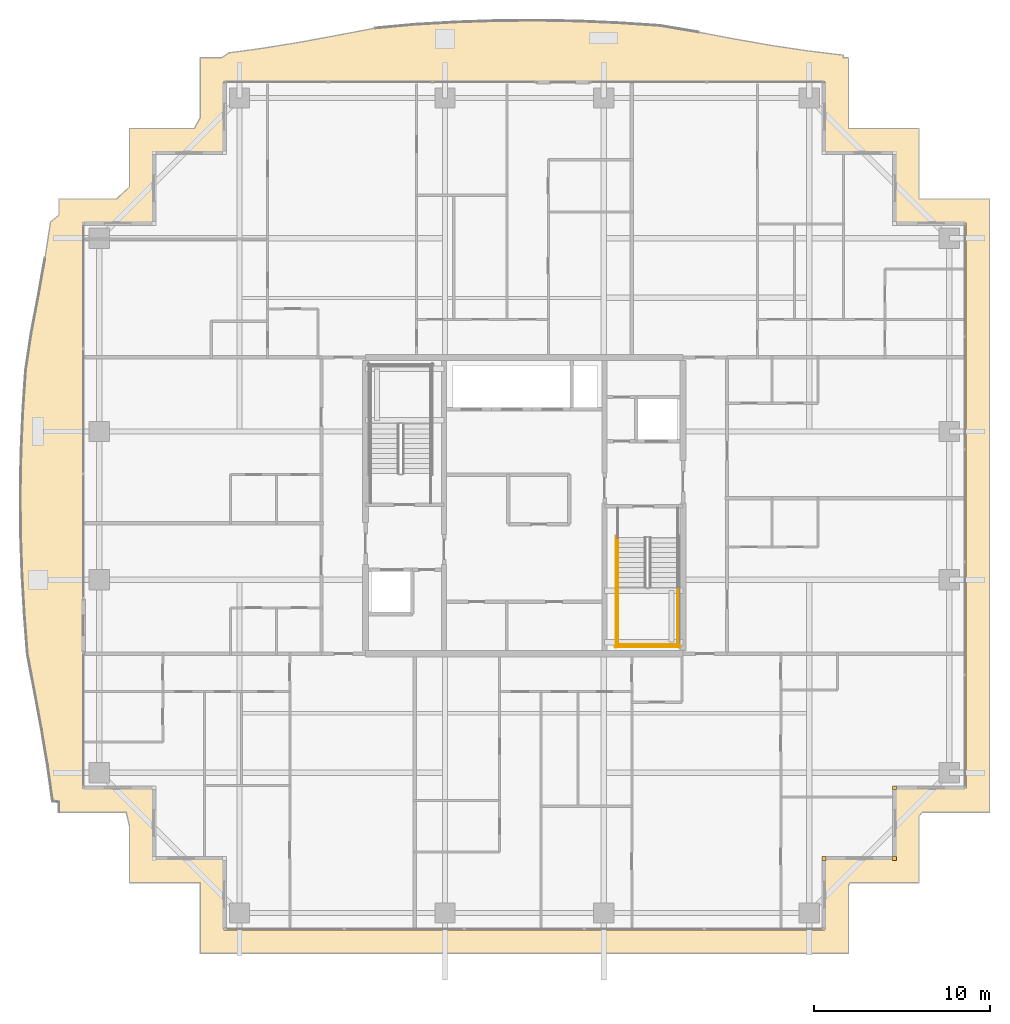
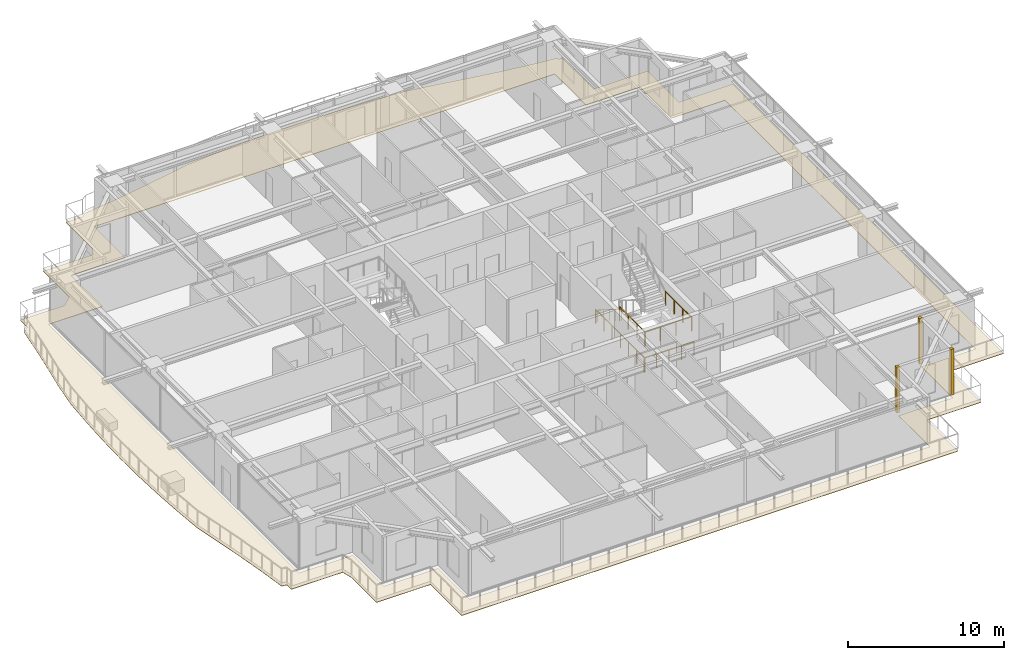
# One storey, part 37 of 39: 6 railings, 4 coverings.
"""IFC4 building model written with IfcOpenShell, lengths in metres."""

from ifc_helpers import new_model, si_unit, direction, frame, origin, origin_2d, place, context, subcontext, project, spatial, polyline, rectangle, circle, outline, extrude, source, transform, mapped, material, layer, layer_set, type_object, element, save


model = new_model("IFC4")

# Units and contexts
model_context = context("Model", 3, precision=1e-05, world=origin(), true_north=direction((0.0, 1.0)))
body_context = subcontext(model_context, "Body", "Model", "MODEL_VIEW")
ifc_project = project(units=[si_unit("LENGTHUNIT", "METRE"), si_unit("AREAUNIT", "SQUARE_METRE"), si_unit("VOLUMEUNIT", "CUBIC_METRE"), si_unit("PLANEANGLEUNIT", "RADIAN"), si_unit("MASSUNIT", "GRAM", prefix="KILO")], contexts=[model_context])

# Site, building, storey
site_placement = place(None, origin())
site = spatial("IfcSite", under=ifc_project, at=site_placement, CompositionType="ELEMENT")
building_placement = place(site_placement, origin())
building = spatial("IfcBuilding", under=site, at=building_placement, Name="Serunith Strait Residences", CompositionType="ELEMENT")
storey_placement = place(building_placement, frame((0.0, 0.0, 222.0)))
storey = spatial("IfcBuildingStorey", under=building, at=storey_placement, Name="L55", CompositionType="ELEMENT", Elevation=222.0)

# Covering
ifc_material_1 = material(Name="Golden Teak Exterior Timber Boarding", Category="wood")
ifc_layer_1 = layer(ifc_material_1, 0.034912109375, Name="Golden Teak Exterior Timber Boarding")
ifc_layer_set_1 = layer_set([ifc_layer_1], Name="Golden Teak Exterior Timber Boarding")
covering_type_1 = type_object("IfcCoveringType", Name="COV-TEAK-SOFFIT", PredefinedType="CEILING", material=ifc_layer_set_1)
covering_placement = place(storey_placement, frame((0.0, 0.0, -0.324951171875)))
element("IfcCovering", 1, at=covering_placement, inside=storey, type_object=covering_type_1, Name="L55 Golden-Teak Balcony Soffit Lining", PredefinedType="CEILING", context=body_context, shape_type="SweptSolid", body=[
    extrude(outline(polyline([(6.02001953125, 7.820068359375), (6.02001953125, 8.3837890625), (5.662109375, 8.444091796875), (5.37548828125, 10.4716796875), (5.03369140625, 12.520263671875), (4.646728515625, 14.607421875), (4.239501953125, 16.751953125), (4.06298828125, 19.01318359375), (3.931396484375, 21.309326171875), (3.852294921875, 23.6298828125), (3.833740234375, 25.9619140625), (3.878173828125, 28.289794921875), (3.980712890625, 30.599609375), (4.13232421875, 32.87939453125), (4.46533203125, 35.0703125), (4.86572265625, 37.177490234375), (5.22998046875, 39.23779296875), (5.541748046875, 41.270263671875), (6.02001953125, 41.672119140625), (6.02001953125, 42.580078125), (9.29443359375, 42.580078125), (10.02001953125, 43.254150390625), (10.02001953125, 46.580078125), (13.6962890625, 46.580078125), (14.02001953125, 47.163818359375), (14.02001953125, 50.580078125), (15.241455078125, 50.580078125), (15.6484375, 50.862060546875), (17.67431640625, 51.138671875), (19.719482421875, 51.472900390625), (21.802001953125, 51.856689453125), (23.94189453125, 52.26611328125), (26.19677734375, 52.47509765625), (28.498291015625, 52.6064453125), (30.8251953125, 52.685302734375), (33.1640625, 52.7041015625), (35.498779296875, 52.660400390625), (37.814697265625, 52.55810546875), (40.09912109375, 52.40673828125), (42.278076171875, 52.038330078125), (44.3798828125, 51.63818359375), (46.435791015625, 51.279541015625), (48.4658203125, 50.976806640625), (50.485107421875, 50.732177734375), (50.48388671875, 50.580078125), (50.780029296875, 50.580078125), (50.780029296875, 46.580078125), (54.780029296875, 46.580078125), (54.780029296875, 42.580078125), (58.780029296875, 42.580078125), (58.780029296875, 7.820068359375), (54.97509765625, 7.820068359375), (54.780029296875, 7.597900390625), (54.780029296875, 3.820068359375), (50.881103515625, 3.820068359375), (50.780029296875, 3.665283203125), (50.780029296875, -0.179931640625), (14.02001953125, -0.179931640625), (14.02001953125, 3.820068359375), (10.02001953125, 3.820068359375), (10.02001953125, 7.03466796875), (9.82861328125, 7.820068359375), (6.02001953125, 7.820068359375)]), holes=[polyline([(49.455078125, 1.14501953125), (49.455078125, 5.14501953125), (53.455078125, 5.14501953125), (53.455078125, 9.14501953125), (57.455078125, 9.14501953125), (57.455078125, 41.2548828125), (53.455078125, 41.2548828125), (53.455078125, 45.2548828125), (49.455078125, 45.2548828125), (49.455078125, 49.2548828125), (15.344970703125, 49.2548828125), (15.344970703125, 45.2548828125), (11.344970703125, 45.2548828125), (11.344970703125, 41.2548828125), (7.344970703125, 41.2548828125), (7.344970703125, 9.14501953125), (11.344970703125, 9.14501953125), (11.344970703125, 5.14501953125), (15.344970703125, 5.14501953125), (15.344970703125, 1.14501953125), (49.455078125, 1.14501953125)])]), origin(), (0.0, 0.0, 1.0), 0.034912109375),
])

# Railings
ifc_material_2 = material(Name="Brushed stainless steel 316L", Category="steel")
railing_type_1 = type_object("IfcRailingType", Name="RLG-STAIR-GUARD", PredefinedType="BALUSTRADE", material=ifc_material_2)
for number, where, name in (
    (2, (37.699951171875, 20.570068359375, 1.925048828125), "L55 ST-2 stair guard 3"),
    (3, (41.10009765625, 20.570068359375, 1.925048828125), "L55 ST-2 stair guard 4"),
):
    element("IfcRailing", number, at=place(storey_placement, frame(where)), inside=storey, type_object=railing_type_1, Name=name, PredefinedType="BALUSTRADE", context=body_context, shape_type="SweptSolid", body=[
        extrude(circle(Radius=0.02392578125, at=origin_2d()), frame((0.0, -0.001953125, 1.076171875), z_axis=(0.0, -1.0, 0.0), x_axis=(1.0, 0.0, 0.0)), (0.0, 0.0, 1.0), 3.316162109375),
        extrude(circle(Radius=0.02099609375, at=origin_2d()), origin(), (0.0, 0.0, 1.0), 1.050048828125),
        extrude(circle(Radius=0.02099609375, at=origin_2d()), frame((0.0, -1.106689453125, 0.0)), (0.0, 0.0, 1.0), 1.050048828125),
        extrude(circle(Radius=0.02099609375, at=origin_2d()), frame((0.0, -2.21337890625, 0.0)), (0.0, 0.0, 1.0), 1.050048828125),
        extrude(circle(Radius=0.02099609375, at=origin_2d()), frame((0.0, -3.320068359375, 0.0)), (0.0, 0.0, 1.0), 1.050048828125),
    ])
railing_1_placement = place(storey_placement, frame((37.64990234375, 17.300048828125, 1.925048828125)))
element("IfcRailing", 4, at=railing_1_placement, inside=storey, type_object=railing_type_1, Name="L55 ST-2 stair guard 5", PredefinedType="BALUSTRADE", context=body_context, shape_type="SweptSolid", body=[
    extrude(circle(Radius=0.02392578125, at=origin_2d()), frame((0.001953125, 0.0, 1.076171875), z_axis=(1.0, 0.0, 0.0), x_axis=(0.0, 1.0, 0.0)), (0.0, 0.0, 1.0), 3.49609375),
    extrude(circle(Radius=0.02099609375, at=origin_2d()), origin(), (0.0, 0.0, 1.0), 1.050048828125),
    extrude(circle(Radius=0.02099609375, at=origin_2d()), frame((1.166748046875, 0.0, 0.0)), (0.0, 0.0, 1.0), 1.050048828125),
    extrude(circle(Radius=0.02099609375, at=origin_2d()), frame((2.333251953125, 0.0, 0.0)), (0.0, 0.0, 1.0), 1.050048828125),
    extrude(circle(Radius=0.02099609375, at=origin_2d()), frame((3.5, 0.0, 0.0)), (0.0, 0.0, 1.0), 1.050048828125),
])
railing_2_placement = place(storey_placement, frame((37.60009765625, 23.469970703125, 0.0)))
element("IfcRailing", 5, at=railing_2_placement, inside=storey, type_object=railing_type_1, Name="L55 ST-2 stair guard 10", PredefinedType="BALUSTRADE", context=body_context, shape_type="SweptSolid", body=[
    extrude(circle(Radius=0.02392578125, at=origin_2d()), frame((0.0, -0.001953125, 1.076171875), z_axis=(0.0, -1.0, 0.0), x_axis=(1.0, 0.0, 0.0)), (0.0, 0.0, 1.0), 6.316162109375),
    extrude(circle(Radius=0.02099609375, at=origin_2d()), origin(), (0.0, 0.0, 1.0), 1.050048828125),
    extrude(circle(Radius=0.02099609375, at=origin_2d()), frame((0.0, -1.05322265625, 0.0)), (0.0, 0.0, 1.0), 1.050048828125),
    extrude(circle(Radius=0.02099609375, at=origin_2d()), frame((0.0, -2.106689453125, 0.0)), (0.0, 0.0, 1.0), 1.050048828125),
    extrude(circle(Radius=0.02099609375, at=origin_2d()), frame((0.0, -3.16015625, 0.0)), (0.0, 0.0, 1.0), 1.050048828125),
    extrude(circle(Radius=0.02099609375, at=origin_2d()), frame((0.0, -4.21337890625, 0.0)), (0.0, 0.0, 1.0), 1.050048828125),
    extrude(circle(Radius=0.02099609375, at=origin_2d()), frame((0.0, -5.2666015625, 0.0)), (0.0, 0.0, 1.0), 1.050048828125),
    extrude(circle(Radius=0.02099609375, at=origin_2d()), frame((0.0, -6.320068359375, 0.0)), (0.0, 0.0, 1.0), 1.050048828125),
])
railing_3_placement = place(storey_placement, frame((37.550048828125, 17.199951171875, 0.0)))
element("IfcRailing", 6, at=railing_3_placement, inside=storey, type_object=railing_type_1, Name="L55 ST-2 stair guard 12", PredefinedType="BALUSTRADE", context=body_context, shape_type="SweptSolid", body=[
    extrude(circle(Radius=0.02392578125, at=origin_2d()), frame((0.001953125, 0.0, 1.076171875), z_axis=(1.0, 0.0, 0.0), x_axis=(0.0, 1.0, 0.0)), (0.0, 0.0, 1.0), 3.696044921875),
    extrude(circle(Radius=0.02099609375, at=origin_2d()), origin(), (0.0, 0.0, 1.0), 1.050048828125),
    extrude(circle(Radius=0.02099609375, at=origin_2d()), frame((0.925048828125, 0.0, 0.0)), (0.0, 0.0, 1.0), 1.050048828125),
    extrude(circle(Radius=0.02099609375, at=origin_2d()), frame((1.85009765625, 0.0, 0.0)), (0.0, 0.0, 1.0), 1.050048828125),
    extrude(circle(Radius=0.02099609375, at=origin_2d()), frame((2.77490234375, 0.0, 0.0)), (0.0, 0.0, 1.0), 1.050048828125),
    extrude(circle(Radius=0.02099609375, at=origin_2d()), frame((3.699951171875, 0.0, 0.0)), (0.0, 0.0, 1.0), 1.050048828125),
])
railing_type_2 = type_object("IfcRailingType", Name="RLG-STAIR-HR", PredefinedType="HANDRAIL", material=ifc_material_2)
railing_4_placement = place(storey_placement, frame((37.699951171875, 23.3701171875, 0.175048828125)))
element("IfcRailing", 7, at=railing_4_placement, inside=storey, type_object=railing_type_2, Name="L55 ST-2 stair handrail 1", PredefinedType="HANDRAIL", context=body_context, shape_type="SweptSolid", body=[
    extrude(circle(Radius=0.02392578125, at=origin_2d()), frame((0.0, -0.001708984375, 0.876953125), z_axis=(0.0, -0.847393994688, 0.530964610654), x_axis=(1.0, 0.0, 0.0)), (0.0, 0.0, 1.0), 3.630859375),
    extrude(circle(Radius=0.02099609375, at=origin_2d()), origin(), (0.0, 0.0, 1.0), 0.849853515625),
    extrude(circle(Radius=0.02099609375, at=origin_2d()), frame((0.0, -0.77001953125, 0.482421875)), (0.0, 0.0, 1.0), 0.849853515625),
    extrude(circle(Radius=0.02099609375, at=origin_2d()), frame((0.0, -1.5400390625, 0.96484375)), (0.0, 0.0, 1.0), 0.849853515625),
    extrude(circle(Radius=0.02099609375, at=origin_2d()), frame((0.0, -2.31005859375, 1.447509765625)), (0.0, 0.0, 1.0), 0.849853515625),
    extrude(circle(Radius=0.02099609375, at=origin_2d()), frame((0.0, -3.080078125, 1.929931640625)), (0.0, 0.0, 1.0), 0.849853515625),
])

# Coverings
ifc_material_3 = material(Name="Pale-Champagne Anodised Aluminium", Category="aluminium")
ifc_layer_2 = layer(ifc_material_3, 0.219970703125, Name="Pale-Champagne Anodised Aluminium")
ifc_layer_set_2 = layer_set([ifc_layer_2], Name="Pale-Champagne Anodised Aluminium")
covering_type_2 = type_object("IfcCoveringType", Name="COV-CORN-TRIM", PredefinedType="CLADDING", material=ifc_layer_set_2)
shared_shape = source(origin(), body_context, "Body", "SweptSolid", [
    extrude(rectangle(XDim=0.221923828125, YDim=0.221923828125, at=origin_2d()), origin(), (0.0, 0.0, 1.0), 3.574951171875),
])
for number, where, z_axis, x_axis, name in (
    (8, (49.39990234375, 5.199951171875, 0.0), (0.0, 0.0, 1.0), (1.0, 0.0, 0.0), "L55 Girih Serrated Corner Trim Post 02"),
    (9, (53.39990234375, 5.199951171875, 0.0), (0.0, 0.0, 1.0), (1.0, 0.0, 0.0), "L55 Girih Serrated Corner Trim Post 03"),
    (10, (53.39990234375, 9.199951171875, 0.0), (0.0, 0.0, 1.0), (1.0, 0.0, 0.0), "L55 Girih Serrated Corner Trim Post 04"),
):
    element("IfcCovering", number, at=place(storey_placement, frame(where, z_axis=z_axis, x_axis=x_axis)), inside=storey, type_object=covering_type_2, Name=name, PredefinedType="CLADDING", context=body_context, shape_type="MappedRepresentation", body=[
        mapped(shared_shape, transform((0.0, 0.0, 0.0), scale=1.0)),
    ])

save(model, "model.ifc")
